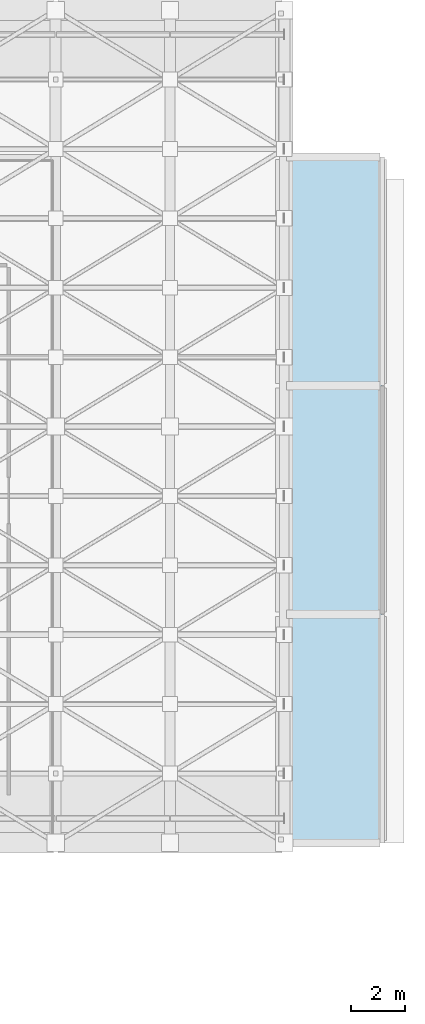
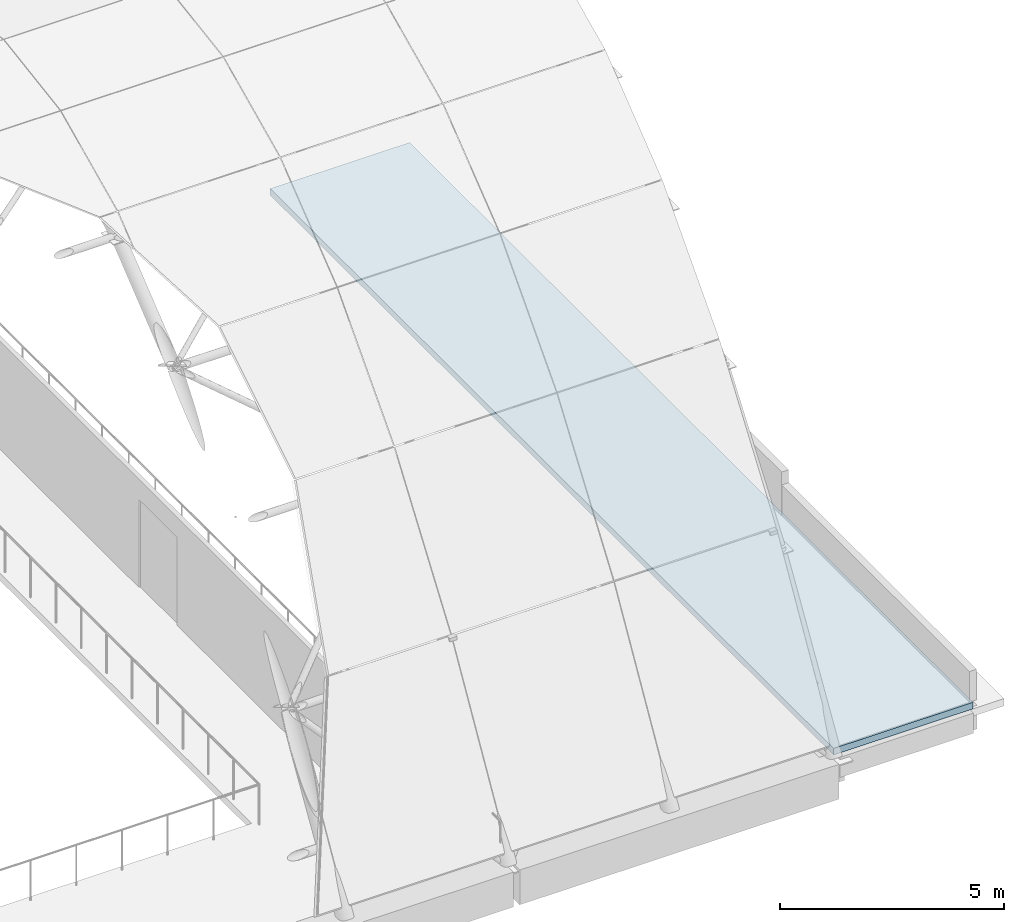
# One storey, part 60 of 128: 1 roof.
"""IFC4 building model written with IfcOpenShell, lengths in metres."""

import ifcopenshell
import ifcopenshell.guid

model = None  # the IFC model being written
_history = None  # IfcOwnerHistory: only IFC2X3 demands one
_inside = {}  # id of a spatial element -> (the spatial element, [elements in it])
_under = {}  # id of a project, library or spatial element -> (it, [spatial elements below it])
_declared = {}  # id of a project -> (the project, [libraries it declares])
_typed = {}  # id of a type object -> (the type object, [elements of that type])
_made_of = {}  # id of a material, layer set ... -> (it, [elements and type objects made of it])


def new_model(schema):
    """Start an empty IFC model of exactly this schema.

    Asked for "IFC4X3", IfcOpenShell would pick the latest addendum, in which some entities
    have other attributes; the version numbers below select the first issue.
    IFC2X3 requires an IfcOwnerHistory on every rooted entity: one is made here for all.
    """
    global model, _history
    if schema == "IFC4X3":
        model = ifcopenshell.file(schema_version=(4, 3, 0, 0))
    else:
        model = ifcopenshell.file(schema=schema)
    _inside.clear()
    _under.clear()
    _declared.clear()
    _typed.clear()
    _made_of.clear()
    _history = None
    if model.schema == "IFC2X3":
        org = make("IfcOrganization", Name="unknown")
        user = make(
            "IfcPersonAndOrganization",
            ThePerson=make("IfcPerson", FamilyName="unknown"),
            TheOrganization=org,
        )
        app = make(
            "IfcApplication",
            ApplicationDeveloper=org,
            Version="unknown",
            ApplicationFullName="unknown",
            ApplicationIdentifier="unknown",
        )
        _history = make(
            "IfcOwnerHistory",
            OwningUser=user,
            OwningApplication=app,
            ChangeAction="ADDED",
            CreationDate=0,
        )
    return model


def make(cls, **values):
    """One entity of the class cls with the attributes given. An attribute that is None is left unset."""
    return model.create_entity(
        cls, **{name: value for name, value in values.items() if value is not None}
    )


def rooted(cls, **values):
    """An entity with a GlobalId (a new one), such as an element, a storey or a relation."""
    return make(cls, GlobalId=ifcopenshell.guid.new(), OwnerHistory=_history, **values)


def si_unit(unit_type, name, prefix=None):
    """IfcSIUnit, for example si_unit("LENGTHUNIT", "METRE", prefix="MILLI")."""
    return make("IfcSIUnit", UnitType=unit_type, Prefix=prefix, Name=name)


def assignment(units):
    """IfcUnitAssignment: the units of a project."""
    return None if units is None else make("IfcUnitAssignment", Units=units)


def point(xyz):
    """IfcCartesianPoint."""
    return None if xyz is None else make("IfcCartesianPoint", Coordinates=xyz)


def direction(xyz):
    """IfcDirection."""
    return None if xyz is None else make("IfcDirection", DirectionRatios=xyz)


def frame(location, z_axis=None, x_axis=None):
    """IfcAxis2Placement3D, a coordinate frame: its origin and axes. An axis left out is left unset."""
    return make(
        "IfcAxis2Placement3D",
        Location=point(location),
        Axis=direction(z_axis),
        RefDirection=direction(x_axis),
    )


def origin():
    """The frame at (0, 0, 0) with its axes left unset."""
    return frame((0.0, 0.0, 0.0))


def place(relative_to, where):
    """IfcLocalPlacement: puts the frame where relative to a parent placement (None: the world)."""
    return make(
        "IfcLocalPlacement", PlacementRelTo=relative_to, RelativePlacement=where
    )


def context(
    kind, dimensions, precision=None, world=None, true_north=None, identifier=None
):
    """IfcGeometricRepresentationContext, for example the 3D "Model" context."""
    return make(
        "IfcGeometricRepresentationContext",
        ContextIdentifier=identifier,
        ContextType=kind,
        CoordinateSpaceDimension=dimensions,
        Precision=precision,
        WorldCoordinateSystem=world,
        TrueNorth=true_north,
    )


def subcontext(parent, identifier, kind, view, scale=None):
    """IfcGeometricRepresentationSubContext, for example "Body" below "Model"."""
    return make(
        "IfcGeometricRepresentationSubContext",
        ContextIdentifier=identifier,
        ContextType=kind,
        ParentContext=parent,
        TargetScale=scale,
        TargetView=view,
    )


def project(units=None, contexts=None):
    """IfcProject with its units and contexts."""
    return rooted(
        "IfcProject",
        Name="project",
        RepresentationContexts=contexts,
        UnitsInContext=assignment(units),
    )


def spatial(cls, under=None, at=None, **own):
    """A site, building, storey or space (cls), placed at a placement, below another one or the project."""
    s = rooted(cls, ObjectPlacement=at, **own)
    if under is not None:
        _under.setdefault(under.id(), (under, []))[1].append(s)
    return s


def polyline(points):
    """IfcPolyline through the points."""
    return make("IfcPolyline", Points=[point(p) for p in points])


def outline(outer, holes=None, kind="AREA"):
    """IfcArbitraryClosedProfileDef: a profile drawn as a closed curve; with holes, ...WithVoids."""
    if holes is None:
        return make("IfcArbitraryClosedProfileDef", ProfileType=kind, OuterCurve=outer)
    return make(
        "IfcArbitraryProfileDefWithVoids",
        ProfileType=kind,
        OuterCurve=outer,
        InnerCurves=holes,
    )


def extrude(swept, where, along, depth):
    """IfcExtrudedAreaSolid: the profile swept, set in the frame where, extruded along a direction by depth."""
    return make(
        "IfcExtrudedAreaSolid",
        SweptArea=swept,
        Position=where,
        ExtrudedDirection=direction(along),
        Depth=depth,
    )


def shape(context_of_items, identifier, shape_type, items):
    """IfcShapeRepresentation: the items that make up one representation, for example the "Body"."""
    return make(
        "IfcShapeRepresentation",
        ContextOfItems=context_of_items,
        RepresentationIdentifier=identifier,
        RepresentationType=shape_type,
        Items=items,
    )


def material(Name=None, Category=None):
    """IfcMaterial."""
    return make("IfcMaterial", Name=Name, Category=Category)


def layer(
    of_material, thickness, ventilated=None, Name=None, Category=None, Priority=None
):
    """IfcMaterialLayer: one layer of a wall or slab, of a material (None: an air gap)."""
    return make(
        "IfcMaterialLayer",
        Material=of_material,
        LayerThickness=thickness,
        IsVentilated=ventilated,
        Name=Name,
        Category=Category,
        Priority=Priority,
    )


def layer_set(layers, Name=None):
    """IfcMaterialLayerSet."""
    return make("IfcMaterialLayerSet", MaterialLayers=layers, LayerSetName=Name)


def made_of(thing, what):
    """Note that an element or type object is made of a material, layer set ...; save() writes the relation."""
    if what is not None:
        _made_of.setdefault(what.id(), (what, []))[1].append(thing)
    return thing


def type_object(cls, material=None, **own):
    """A type object (cls), such as IfcWallType, which elements share."""
    return made_of(rooted(cls, **own), material)


def element(
    cls,
    number,
    at=None,
    inside=None,
    cuts=None,
    type_object=None,
    material=None,
    context=None,
    identifier="Body",
    shape_type=None,
    held_by="IfcProductDefinitionShape",
    body=None,
    shapes=None,
    **own,
):
    """One element of the class cls, such as IfcWall. Its Tag is "e" and its number.

    at: its placement. inside: the storey or other place that contains it. cuts: it is an
    opening in that element (IfcRelVoidsElement). A single representation is given by context,
    identifier, shape_type and body (its items); several are given by shapes. held_by: the class
    of the entity that holds the representations. save() writes the other relations.
    """
    e = rooted(cls, Tag="e%d" % number, ObjectPlacement=at, **own)
    if body is not None:
        shapes = [shape(context, identifier, shape_type, body)]
    if shapes is not None:
        e.Representation = make(held_by, Representations=shapes)
    if inside is not None:
        _inside.setdefault(inside.id(), (inside, []))[1].append(e)
    if cuts is not None:
        rooted(
            "IfcRelVoidsElement", RelatingBuildingElement=cuts, RelatedOpeningElement=e
        )
    if type_object is not None:
        _typed.setdefault(type_object.id(), (type_object, []))[1].append(e)
    return made_of(e, material)


def aggregate(whole, parts):
    """IfcRelAggregates: a whole, such as a stair, and the parts it consists of."""
    return rooted("IfcRelAggregates", RelatingObject=whole, RelatedObjects=parts)


def save(model, path):
    """Write the relations noted so far, then the file.

    IfcRelAggregates (storeys below a building ...), IfcRelContainedInSpatialStructure (elements
    in a storey), IfcRelDefinesByType, IfcRelAssociatesMaterial and IfcRelDeclares: one each for
    every whole, place, type object, material and project.
    """
    for whole, parts in _under.values():
        aggregate(whole, parts)
    for where, things in _inside.values():
        rooted(
            "IfcRelContainedInSpatialStructure",
            RelatedElements=things,
            RelatingStructure=where,
        )
    for kind, things in _typed.values():
        rooted("IfcRelDefinesByType", RelatedObjects=things, RelatingType=kind)
    for what, things in _made_of.values():
        rooted("IfcRelAssociatesMaterial", RelatedObjects=things, RelatingMaterial=what)
    for by, libraries in _declared.values():
        rooted("IfcRelDeclares", RelatingContext=by, RelatedDefinitions=libraries)
    model.write(path)


model = new_model("IFC4")

# Units and contexts
model_context = context("Model", 3, precision=1e-05, world=origin(), true_north=direction((0.0, 1.0)))
body_context = subcontext(model_context, "Body", "Model", "MODEL_VIEW")
ifc_project = project(units=[si_unit("LENGTHUNIT", "METRE"), si_unit("AREAUNIT", "SQUARE_METRE"), si_unit("VOLUMEUNIT", "CUBIC_METRE"), si_unit("PLANEANGLEUNIT", "RADIAN"), si_unit("MASSUNIT", "GRAM", prefix="KILO")], contexts=[model_context])

# Site, building, storey
site_placement = place(None, origin())
site = spatial("IfcSite", under=ifc_project, at=site_placement, CompositionType="ELEMENT")
building_placement = place(site_placement, origin())
building = spatial("IfcBuilding", under=site, at=building_placement, Name="Telukmera Botanical Conservatory", CompositionType="ELEMENT")
storey_placement = place(building_placement, frame((0.0, 0.0, 5.39990234375)))
storey = spatial("IfcBuildingStorey", under=building, at=storey_placement, Name="L01", CompositionType="ELEMENT", Elevation=5.39990234375)

# Roof
ifc_material = material(Name="Insulated reinforced concrete roof assembly C40/50", Category="concrete")
ifc_layer = layer(ifc_material, 0.179931640625)
ifc_layer_set = layer_set([ifc_layer], Name="Insulated reinforced concrete roof assembly C40/50")
roof_type = type_object("IfcRoofType", Name="Heavyweight Insulated Concrete Flat Roof", PredefinedType="FLAT_ROOF", material=ifc_layer_set)
roof_placement = place(storey_placement, origin())
element("IfcRoof", 1, at=roof_placement, inside=storey, type_object=roof_type, Name="Conservatory Prep Wing Insulated Flat Roof", PredefinedType="FLAT_ROOF", context=body_context, shape_type="SweptSolid", body=[
    extrude(outline(polyline([(168.0, 17.60009765625), (171.60009765625, 17.60009765625), (171.60009765625, 42.800048828125), (168.0, 42.800048828125), (168.0, 17.60009765625)])), origin(), (0.0, 0.0, 1.0), 0.18017578125),
])

save(model, "model.ifc")
